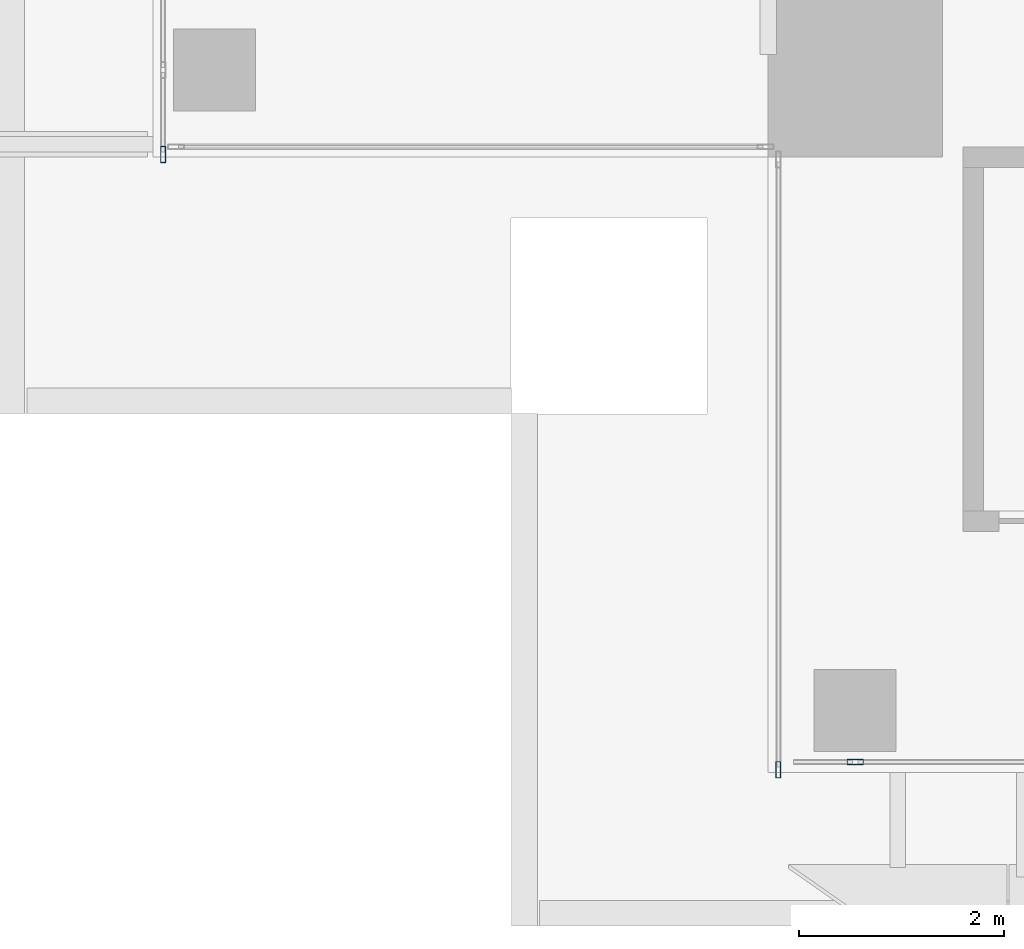
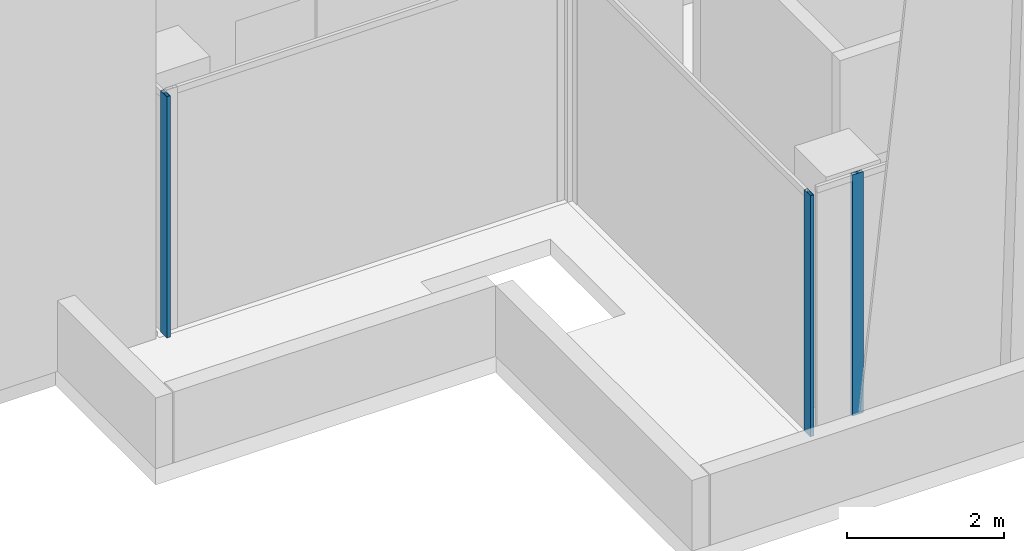
# One storey, part 2 of 32: 3 members, 3 elements without a shape of their own.
"""IFC4 building model written with IfcOpenShell, lengths in metres."""

from ifc_helpers import new_model, si_unit, direction, frame, origin, origin_2d, place, context, subcontext, project, spatial, hollow_rectangle, extrude, source, transform, mapped, material, material_profile, profile_set, type_object, element, aggregate, save


model = new_model("IFC4")

# Units and contexts
model_context = context("Model", 3, precision=1e-05, world=origin(), true_north=direction((0.0, 1.0)))
body_context = subcontext(model_context, "Body", "Model", "MODEL_VIEW")
ifc_project = project(units=[si_unit("LENGTHUNIT", "METRE"), si_unit("AREAUNIT", "SQUARE_METRE"), si_unit("VOLUMEUNIT", "CUBIC_METRE"), si_unit("PLANEANGLEUNIT", "RADIAN"), si_unit("MASSUNIT", "GRAM", prefix="KILO")], contexts=[model_context])

# Site, building, storey
site_placement = place(None, origin())
site = spatial("IfcSite", under=ifc_project, at=site_placement, CompositionType="ELEMENT")
building_placement = place(site_placement, origin())
building = spatial("IfcBuilding", under=site, at=building_placement, Name="Khomas Fold Tower", CompositionType="ELEMENT")
storey_placement = place(building_placement, frame((0.0, 0.0, 282.199951171875)))
storey = spatial("IfcBuildingStorey", under=building, at=storey_placement, Name="L63", CompositionType="ELEMENT", Elevation=282.199951171875)

# Curtain wall, member
ifc_material_1 = material(Name="Aluminium framed double glazing", Category="aluminium")
curtain_wall_type = type_object("IfcCurtainWallType", Name="SK-Unitised clear-glass wall, upper floors CW3", PredefinedType="NOTDEFINED", material=ifc_material_1)
curtain_wall_1_placement = place(storey_placement, origin())
curtain_wall_1 = element("IfcCurtainWall", 1, at=curtain_wall_1_placement, inside=storey, type_object=curtain_wall_type, Name="CW3 run L63 00-0", PredefinedType="NOTDEFINED")
ifc_material_2 = material(Name="Aluminium", Category="aluminium")
ifc_material_profile = material_profile(ifc_material_2, hollow_rectangle(XDim=0.050048828125, YDim=0.159912109375, WallThickness=0.00390625, at=origin_2d()), Name="SK-Unitised clear-glass wall, upper floors mullion CW3-M")
ifc_profile_set = profile_set([ifc_material_profile], Name="Aluminium")
member_type = type_object("IfcMemberType", Name="SK-Unitised clear-glass wall, upper floors mullion CW3-M", PredefinedType="MULLION", material=ifc_profile_set)
shared_shape = source(origin(), body_context, "Body", "SweptSolid", [
    extrude(hollow_rectangle(XDim=0.050048828125, YDim=0.159912109375, WallThickness=0.00390625, at=origin_2d()), origin(), (0.0, 0.0, 1.0), 3.75),
])
member_1_placement = place(storey_placement, frame((12.85009765625, 6.10009765625, 0.0), z_axis=(0.0, 0.0, 1.0), x_axis=(0.0, 1.0, 0.0)))
member_1 = element("IfcMember", 2, at=member_1_placement, type_object=member_type, Name="CW3 mullion 2", PredefinedType="MULLION", context=body_context, shape_type="MappedRepresentation", body=[
    mapped(shared_shape, transform((0.0, 0.0, 0.0))),
])
aggregate(curtain_wall_1, [member_1])

curtain_wall_2_placement = place(storey_placement, origin())
curtain_wall_2 = element("IfcCurtainWall", 3, at=curtain_wall_2_placement, inside=storey, type_object=curtain_wall_type, Name="CW3 run L63 09-1", PredefinedType="NOTDEFINED")
member_2_placement = place(storey_placement, frame((6.10009765625, 12.02490234375, 0.0), z_axis=(0.0, 0.0, 1.0), x_axis=(1.0, 0.0, 0.0)))
member_2 = element("IfcMember", 4, at=member_2_placement, type_object=member_type, Name="CW3 mullion 3", PredefinedType="MULLION", context=body_context, shape_type="MappedRepresentation", body=[
    mapped(shared_shape, transform((0.0, 0.0, 0.0))),
])
aggregate(curtain_wall_2, [member_2])

curtain_wall_3_placement = place(storey_placement, origin())
curtain_wall_3 = element("IfcCurtainWall", 5, at=curtain_wall_3_placement, inside=storey, type_object=curtain_wall_type, Name="CW3 corner return L63 11", PredefinedType="NOTDEFINED")
member_3_placement = place(storey_placement, frame((12.10009765625, 6.02490234375, 0.0), z_axis=(0.0, 0.0, 1.0), x_axis=(1.0, 0.0, 0.0)))
member_3 = element("IfcMember", 6, at=member_3_placement, type_object=member_type, Name="CW3 mullion 2", PredefinedType="MULLION", context=body_context, shape_type="MappedRepresentation", body=[
    mapped(shared_shape, transform((0.0, 0.0, 0.0))),
])
aggregate(curtain_wall_3, [member_3])

save(model, "model.ifc")
